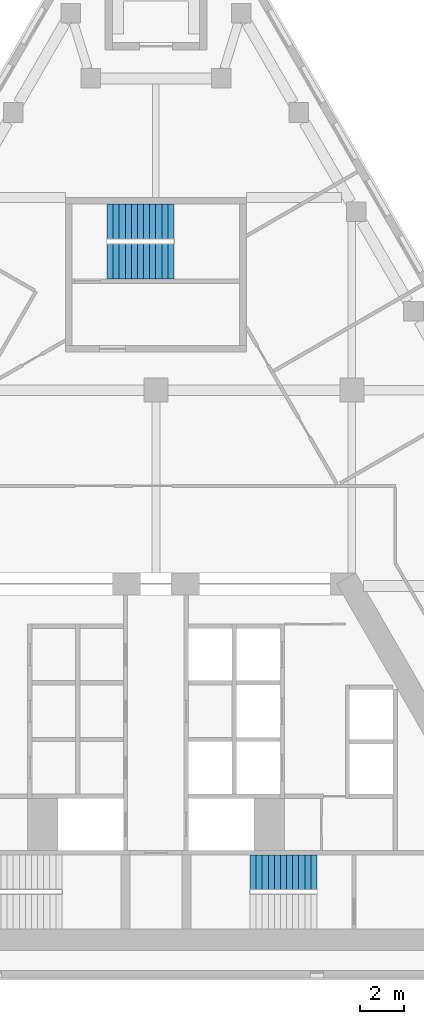
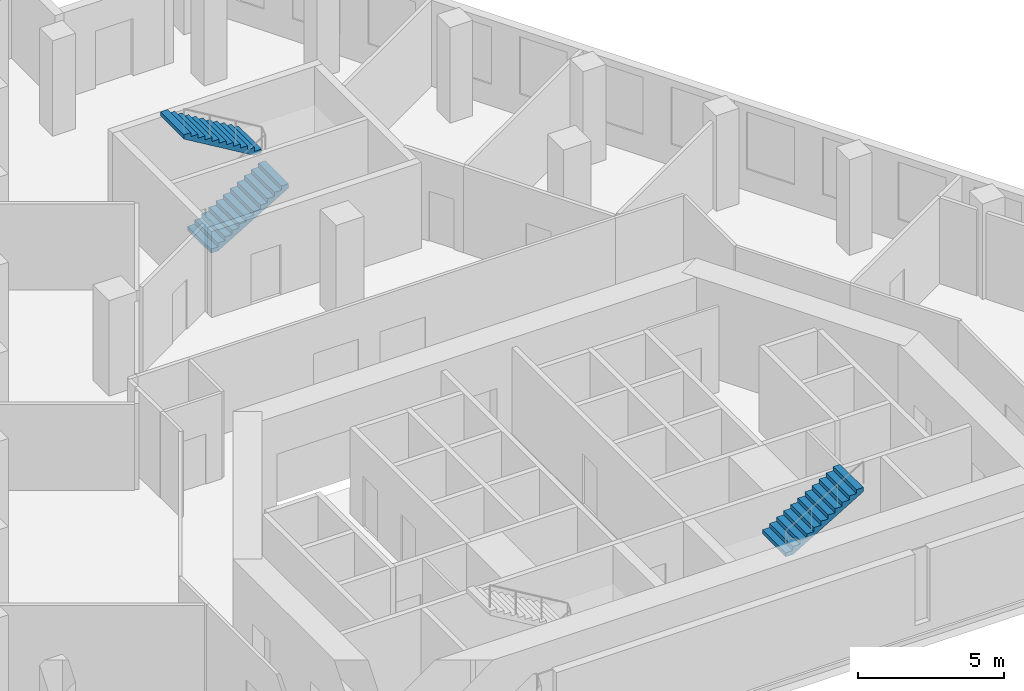
# One storey, part 7 of 8: 3 stair flights, 2 elements without a shape of their own.
"""IFC4 building model written with IfcOpenShell, lengths in metres."""

from ifc_helpers import new_model, si_unit, direction, frame, origin, place, context, subcontext, project, spatial, polyline, outline, extrude, material, type_object, element, aggregate, save


model = new_model("IFC4")

# Units and contexts
model_context = context("Model", 3, precision=1e-05, world=origin(), true_north=direction((0.0, 1.0)))
body_context = subcontext(model_context, "Body", "Model", "MODEL_VIEW")
ifc_project = project(units=[si_unit("LENGTHUNIT", "METRE"), si_unit("AREAUNIT", "SQUARE_METRE"), si_unit("VOLUMEUNIT", "CUBIC_METRE"), si_unit("PLANEANGLEUNIT", "RADIAN"), si_unit("MASSUNIT", "GRAM", prefix="KILO")], contexts=[model_context])

# Site, building, storey
site_placement = place(None, origin())
site = spatial("IfcSite", under=ifc_project, at=site_placement, CompositionType="ELEMENT")
building_placement = place(site_placement, origin())
building = spatial("IfcBuilding", under=site, at=building_placement, Name="Fogline Exchange Tower", CompositionType="ELEMENT")
storey_placement = place(building_placement, frame((0.0, 0.0, 235.5)))
storey = spatial("IfcBuildingStorey", under=building, at=storey_placement, Name="L53", CompositionType="ELEMENT", Elevation=235.5)

# Stair, stair flight
ifc_material = material(Name="Concrete C40", Category="concrete")
stair_type = type_object("IfcStairType", Name="STR24-1667", PredefinedType="HALF_TURN_STAIR", material=ifc_material)
stair_1_placement = place(storey_placement, origin())
stair_1 = element("IfcStair", 1, at=stair_1_placement, inside=storey, type_object=stair_type, Name="Stair ST2", PredefinedType="HALF_TURN_STAIR")
stair_flight_type = type_object("IfcStairFlightType", Name="SF12-1667", PredefinedType="STRAIGHT", material=ifc_material)
stair_flight_1_placement = place(storey_placement, frame((4.320068359375, 4.85009765625, 2.0), z_axis=(0.0, 0.0, 1.0), x_axis=(1.0, 0.0, 0.0)))
stair_flight_1 = element("IfcStairFlight", 2, at=stair_flight_1_placement, type_object=stair_flight_type, Name="ST2 flight 2", NumberOfRisers=12, NumberOfTreads=11, PredefinedType="STRAIGHT", RiserHeight=0.166666667, TreadLength=0.28, context=body_context, shape_type="SweptSolid", body=[
    extrude(outline(polyline([(0.0, 0.0), (0.0, 0.166748046875), (0.280029296875, 0.166748046875), (0.280029296875, 0.333251953125), (0.56005859375, 0.333251953125), (0.56005859375, 0.5), (0.840087890625, 0.5), (0.840087890625, 0.666748046875), (1.1201171875, 0.666748046875), (1.1201171875, 0.833251953125), (1.39990234375, 0.833251953125), (1.39990234375, 1.0), (1.679931640625, 1.0), (1.679931640625, 1.166748046875), (1.9599609375, 1.166748046875), (1.9599609375, 1.333251953125), (2.239990234375, 1.333251953125), (2.239990234375, 1.5), (2.52001953125, 1.5), (2.52001953125, 1.666748046875), (2.800048828125, 1.666748046875), (2.800048828125, 1.833251953125), (3.080078125, 1.833251953125), (3.080078125, 2.0), (3.080078125, 1.658935546875), (0.29296875, 0.0), (0.0, 0.0)])), frame((0.0, 0.800048828125, 0.0), z_axis=(0.0, -1.0, 0.0), x_axis=(1.0, 0.0, 0.0)), (0.0, 0.0, 1.0), 1.60009765625),
])
aggregate(stair_1, [stair_flight_1])

# Stair, stair flights
stair_2_placement = place(storey_placement, origin())
stair_2 = element("IfcStair", 3, at=stair_2_placement, inside=storey, type_object=stair_type, Name="Stair ST3", PredefinedType="HALF_TURN_STAIR")
stair_flight_2_placement = place(storey_placement, frame((-2.25, 32.906982421875, 0.0), z_axis=(0.0, 0.0, 1.0), x_axis=(1.0, 0.0, 0.0)))
stair_flight_2 = element("IfcStairFlight", 4, at=stair_flight_2_placement, type_object=stair_flight_type, Name="ST3 flight 1", NumberOfRisers=12, NumberOfTreads=11, PredefinedType="STRAIGHT", RiserHeight=0.166666667, TreadLength=0.28, context=body_context, shape_type="SweptSolid", body=[
    extrude(outline(polyline([(0.0, 0.0), (0.0, 0.166748046875), (0.280029296875, 0.166748046875), (0.280029296875, 0.333251953125), (0.56005859375, 0.333251953125), (0.56005859375, 0.5), (0.840087890625, 0.5), (0.840087890625, 0.666748046875), (1.1201171875, 0.666748046875), (1.1201171875, 0.833251953125), (1.39990234375, 0.833251953125), (1.39990234375, 1.0), (1.679931640625, 1.0), (1.679931640625, 1.166748046875), (1.9599609375, 1.166748046875), (1.9599609375, 1.333251953125), (2.239990234375, 1.333251953125), (2.239990234375, 1.5), (2.52001953125, 1.5), (2.52001953125, 1.666748046875), (2.800048828125, 1.666748046875), (2.800048828125, 1.833251953125), (3.080078125, 1.833251953125), (3.080078125, 2.0), (3.080078125, 1.658935546875), (0.29296875, 0.0), (0.0, 0.0)])), frame((0.0, 0.800048828125, 0.0), z_axis=(0.0, -1.0, 0.0), x_axis=(1.0, 0.0, 0.0)), (0.0, 0.0, 1.0), 1.60009765625),
])
stair_flight_3_placement = place(storey_placement, frame((0.830078125, 34.757080078125, 2.0), z_axis=(0.0, 0.0, 1.0), x_axis=(-1.0, 0.0, 0.0)))
stair_flight_3 = element("IfcStairFlight", 5, at=stair_flight_3_placement, type_object=stair_flight_type, Name="ST3 flight 2", NumberOfRisers=12, NumberOfTreads=11, PredefinedType="STRAIGHT", RiserHeight=0.166666667, TreadLength=0.28, context=body_context, shape_type="SweptSolid", body=[
    extrude(outline(polyline([(0.0, 0.0), (0.0, 0.166748046875), (0.280029296875, 0.166748046875), (0.280029296875, 0.333251953125), (0.56005859375, 0.333251953125), (0.56005859375, 0.5), (0.840087890625, 0.5), (0.840087890625, 0.666748046875), (1.1201171875, 0.666748046875), (1.1201171875, 0.833251953125), (1.39990234375, 0.833251953125), (1.39990234375, 1.0), (1.679931640625, 1.0), (1.679931640625, 1.166748046875), (1.9599609375, 1.166748046875), (1.9599609375, 1.333251953125), (2.239990234375, 1.333251953125), (2.239990234375, 1.5), (2.52001953125, 1.5), (2.52001953125, 1.666748046875), (2.800048828125, 1.666748046875), (2.800048828125, 1.833251953125), (3.080078125, 1.833251953125), (3.080078125, 2.0), (3.080078125, 1.658935546875), (0.29296875, 0.0), (0.0, 0.0)])), frame((0.0, 0.800048828125, 0.0), z_axis=(0.0, -1.0, 0.0), x_axis=(1.0, 0.0, 0.0)), (0.0, 0.0, 1.0), 1.60009765625),
])
aggregate(stair_2, [stair_flight_2, stair_flight_3])

save(model, "model.ifc")
